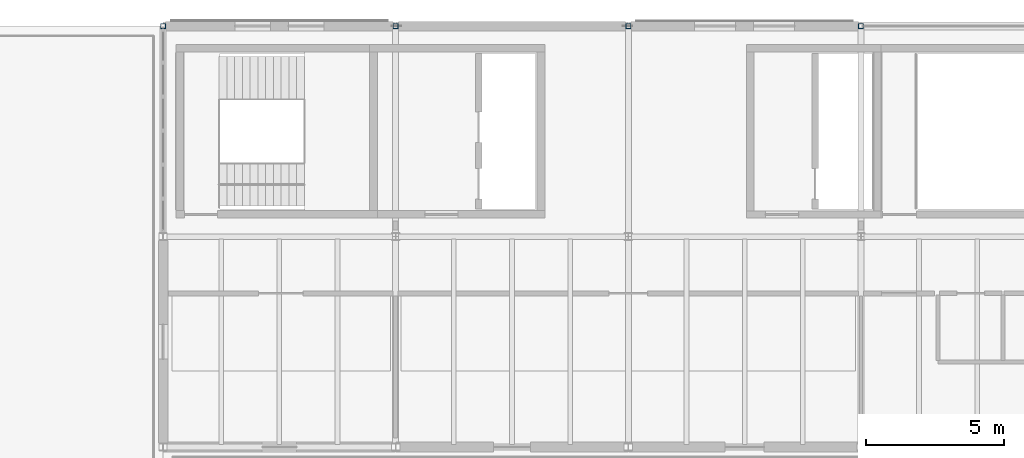
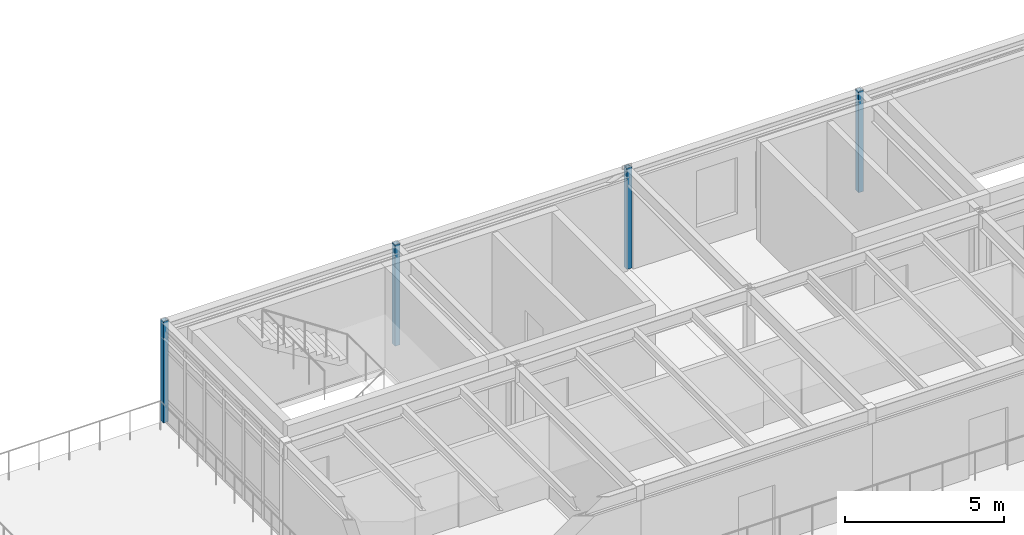
# One storey, part 2 of 26: 4 columns.
"""IFC4 building model written with IfcOpenShell, lengths in metres."""

from ifc_helpers import new_model, si_unit, direction, frame, origin, origin_2d, place, context, subcontext, project, spatial, hollow_rectangle, extrude, material, material_profile, profile_set, type_object, element, save


model = new_model("IFC4")

# Units and contexts
model_context = context("Model", 3, precision=1e-05, world=origin(), true_north=direction((0.0, 1.0)))
body_context = subcontext(model_context, "Body", "Model", "MODEL_VIEW")
ifc_project = project(units=[si_unit("LENGTHUNIT", "METRE"), si_unit("AREAUNIT", "SQUARE_METRE"), si_unit("VOLUMEUNIT", "CUBIC_METRE"), si_unit("PLANEANGLEUNIT", "RADIAN"), si_unit("MASSUNIT", "GRAM", prefix="KILO")], contexts=[model_context])

# Site, building, storey
site_placement = place(None, origin())
site = spatial("IfcSite", under=ifc_project, at=site_placement, CompositionType="ELEMENT")
building_placement = place(site_placement, origin())
building = spatial("IfcBuilding", under=site, at=building_placement, Name="Montecoro Central Library", CompositionType="ELEMENT")
storey_placement = place(building_placement, frame((0.0, 0.0, 21.419921875)))
storey = spatial("IfcBuildingStorey", under=building, at=storey_placement, Name="L05", CompositionType="ELEMENT", Elevation=21.419921875)

# Columns
ifc_material = material(Name="Steel S355", Category="steel")
ifc_material_profile = material_profile(ifc_material, hollow_rectangle(XDim=0.179931640625, YDim=0.179931640625, WallThickness=0.010009765625, at=origin_2d()), Name="SHS 180x180x10.0")
ifc_profile_set = profile_set([ifc_material_profile], Name="Steel S355")
column_type = type_object("IfcColumnType", Name="COL-SHS180", PredefinedType="COLUMN", material=ifc_profile_set)
for number, where, z_axis, x_axis, name in (
    (1, (74.800048828125, 119.0, 0.0), (0.0, 0.0, 1.0), (1.0, 0.0, 0.0), "V2-L05-COL-10-R"),
    (2, (83.199951171875, 119.0, 0.0), (0.0, 0.0, 1.0), (1.0, 0.0, 0.0), "V2-L05-COL-11-R"),
    (3, (91.60009765625, 119.0, 0.0), (0.0, 0.0, 1.0), (1.0, 0.0, 0.0), "V2-L05-COL-12-R"),
    (4, (100.0, 119.0, 0.0), (0.0, 0.0, 1.0), (1.0, 0.0, 0.0), "V2-L05-COL-13-R"),
):
    element("IfcColumn", number, at=place(storey_placement, frame(where, z_axis=z_axis, x_axis=x_axis)), inside=storey, type_object=column_type, Name=name, PredefinedType="COLUMN", context=body_context, shape_type="SweptSolid", body=[
        extrude(hollow_rectangle(XDim=0.179931640625, YDim=0.179931640625, WallThickness=0.010009765625, at=origin_2d()), origin(), (0.0, 0.0, 1.0), 3.880126953125),
    ])

save(model, "model.ifc")
